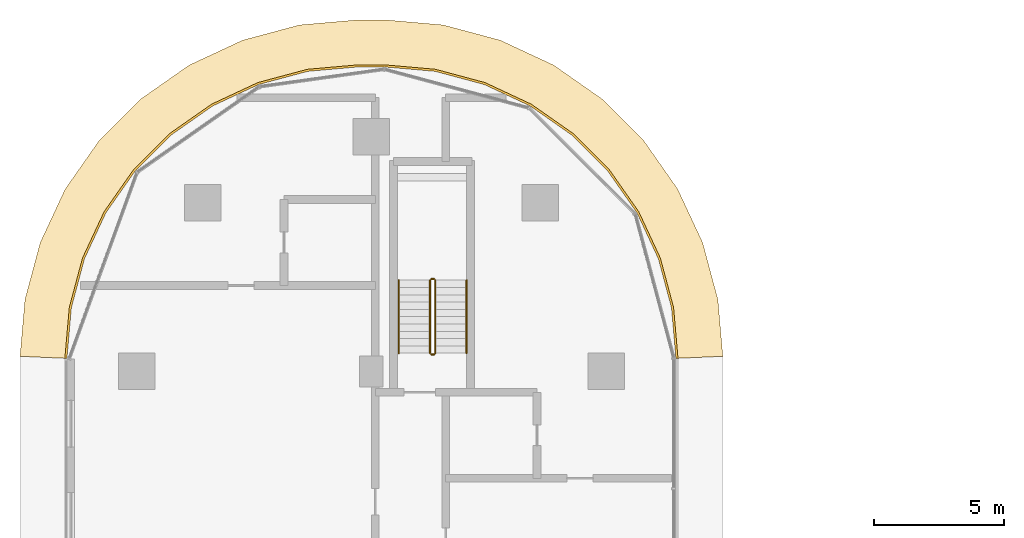
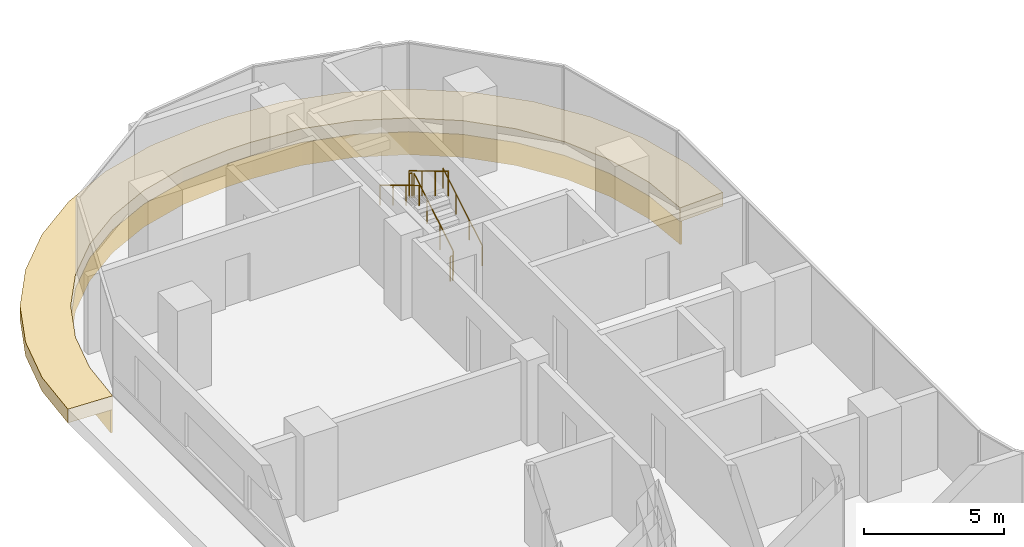
# One storey, part 33 of 36: 6 railings, 2 coverings.
"""IFC4 building model written with IfcOpenShell, lengths in metres."""

from ifc_helpers import new_model, si_unit, direction, frame, origin, origin_2d, place, context, subcontext, project, spatial, polyline, circle, outline, extrude, material, layer, layer_set, type_object, element, save


model = new_model("IFC4")

# Units and contexts
model_context = context("Model", 3, precision=1e-05, world=origin(), true_north=direction((0.0, 1.0)))
body_context = subcontext(model_context, "Body", "Model", "MODEL_VIEW")
ifc_project = project(units=[si_unit("LENGTHUNIT", "METRE"), si_unit("AREAUNIT", "SQUARE_METRE"), si_unit("VOLUMEUNIT", "CUBIC_METRE"), si_unit("PLANEANGLEUNIT", "RADIAN"), si_unit("MASSUNIT", "GRAM", prefix="KILO")], contexts=[model_context])

# Site, building, storey
site_placement = place(None, origin())
site = spatial("IfcSite", under=ifc_project, at=site_placement, CompositionType="ELEMENT")
building_placement = place(site_placement, origin())
building = spatial("IfcBuilding", under=site, at=building_placement, Name="Ogive Portal Towers", CompositionType="ELEMENT")
storey_placement = place(building_placement, frame((0.0, 0.0, 63.10009765625)))
storey = spatial("IfcBuildingStorey", under=building, at=storey_placement, Name="L14", CompositionType="ELEMENT", Elevation=63.10009765625)

# Railings
ifc_material_1 = material(Name="Stainless steel balustrade", Category="steel")
railing_type_1 = type_object("IfcRailingType", Name="INT-GUARD", PredefinedType="GUARDRAIL", material=ifc_material_1)
railing_1_placement = place(storey_placement, frame((42.949951171875, 67.199951171875, 0.16796875)))
element("IfcRailing", 1, at=railing_1_placement, inside=storey, type_object=railing_type_1, Name="L14 ST-A3 stair guard 1", PredefinedType="GUARDRAIL", context=body_context, shape_type="SweptSolid", body=[
    extrude(circle(Radius=0.02392578125, at=origin_2d()), frame((0.0, 0.0, 1.076171875), z_axis=(0.0, 0.857242210791, 0.514913383045), x_axis=(-1.0, 0.0, 0.0)), (0.0, 0.0, 1.0), 3.266357421875),
    extrude(circle(Radius=0.02099609375, at=origin_2d()), origin(), (0.0, 0.0, 1.0), 1.052001953125),
    extrude(circle(Radius=0.02099609375, at=origin_2d()), frame((0.0, 0.933349609375, 0.560546875)), (0.0, 0.0, 1.0), 1.052001953125),
    extrude(circle(Radius=0.02099609375, at=origin_2d()), frame((0.0, 1.86669921875, 1.121337890625)), (0.0, 0.0, 1.0), 1.052001953125),
    extrude(circle(Radius=0.02099609375, at=origin_2d()), frame((0.0, 2.800048828125, 1.681884765625)), (0.0, 0.0, 1.0), 1.052001953125),
])
railing_2_placement = place(storey_placement, frame((42.89990234375, 70.050048828125, 1.849853515625)))
element("IfcRailing", 2, at=railing_2_placement, inside=storey, type_object=railing_type_1, Name="L14 ST-A3 stair guard 2", PredefinedType="GUARDRAIL", context=body_context, shape_type="SweptSolid", body=[
    extrude(circle(Radius=0.02392578125, at=origin_2d()), frame((0.0, 0.0, 1.076171875), z_axis=(-1.0, 0.0, 0.0), x_axis=(0.0, -1.0, 0.0)), (0.0, 0.0, 1.0), 0.099853515625),
    extrude(circle(Radius=0.02099609375, at=origin_2d()), origin(), (0.0, 0.0, 1.0), 1.052001953125),
    extrude(circle(Radius=0.02099609375, at=origin_2d()), frame((-0.099853515625, 0.0, 0.0)), (0.0, 0.0, 1.0), 1.052001953125),
])
railing_3_placement = place(storey_placement, frame((42.75, 70.0, 2.01806640625)))
element("IfcRailing", 3, at=railing_3_placement, inside=storey, type_object=railing_type_1, Name="L14 ST-A3 stair guard 3", PredefinedType="GUARDRAIL", context=body_context, shape_type="SweptSolid", body=[
    extrude(circle(Radius=0.02392578125, at=origin_2d()), frame((0.0, 0.0, 1.076171875), z_axis=(0.0, -0.857242210791, 0.514913383045), x_axis=(1.0, 0.0, 0.0)), (0.0, 0.0, 1.0), 3.266357421875),
    extrude(circle(Radius=0.02099609375, at=origin_2d()), origin(), (0.0, 0.0, 1.0), 1.052001953125),
    extrude(circle(Radius=0.02099609375, at=origin_2d()), frame((0.0, -0.933349609375, 0.560546875)), (0.0, 0.0, 1.0), 1.052001953125),
    extrude(circle(Radius=0.02099609375, at=origin_2d()), frame((0.0, -1.86669921875, 1.121337890625)), (0.0, 0.0, 1.0), 1.052001953125),
    extrude(circle(Radius=0.02099609375, at=origin_2d()), frame((0.0, -2.800048828125, 1.681884765625)), (0.0, 0.0, 1.0), 1.052001953125),
])
railing_4_placement = place(storey_placement, frame((42.89990234375, 67.14990234375, 0.0)))
element("IfcRailing", 4, at=railing_4_placement, inside=storey, type_object=railing_type_1, Name="L14 ST-A3 stair guard 4", PredefinedType="GUARDRAIL", context=body_context, shape_type="SweptSolid", body=[
    extrude(circle(Radius=0.02392578125, at=origin_2d()), frame((0.0, 0.0, 1.076171875), z_axis=(-1.0, 0.0, 0.0), x_axis=(0.0, -1.0, 0.0)), (0.0, 0.0, 1.0), 0.099853515625),
    extrude(circle(Radius=0.02099609375, at=origin_2d()), origin(), (0.0, 0.0, 1.0), 1.052001953125),
    extrude(circle(Radius=0.02099609375, at=origin_2d()), frame((-0.099853515625, 0.0, 0.0)), (0.0, 0.0, 1.0), 1.052001953125),
])
ifc_material_2 = material(Name="Stainless steel handrail", Category="steel")
railing_type_2 = type_object("IfcRailingType", Name="INT-HANDRAIL", PredefinedType="HANDRAIL", material=ifc_material_2)
railing_5_placement = place(storey_placement, frame((44.14990234375, 67.199951171875, 0.16796875)))
element("IfcRailing", 5, at=railing_5_placement, inside=storey, type_object=railing_type_2, Name="L14 ST-A3 stair handrail 1", PredefinedType="HANDRAIL", context=body_context, shape_type="SweptSolid", body=[
    extrude(circle(Radius=0.02392578125, at=origin_2d()), frame((0.0, 0.0, 0.8759765625), z_axis=(0.0, 0.857242210791, 0.514913383045), x_axis=(-1.0, 0.0, 0.0)), (0.0, 0.0, 1.0), 3.266357421875),
    extrude(circle(Radius=0.02099609375, at=origin_2d()), origin(), (0.0, 0.0, 1.0), 0.851806640625),
    extrude(circle(Radius=0.02099609375, at=origin_2d()), frame((0.0, 0.933349609375, 0.560546875)), (0.0, 0.0, 1.0), 0.851806640625),
    extrude(circle(Radius=0.02099609375, at=origin_2d()), frame((0.0, 1.86669921875, 1.121337890625)), (0.0, 0.0, 1.0), 0.851806640625),
    extrude(circle(Radius=0.02099609375, at=origin_2d()), frame((0.0, 2.800048828125, 1.681884765625)), (0.0, 0.0, 1.0), 0.851806640625),
])
railing_6_placement = place(storey_placement, frame((41.550048828125, 70.0, 2.01806640625)))
element("IfcRailing", 6, at=railing_6_placement, inside=storey, type_object=railing_type_2, Name="L14 ST-A3 stair handrail 2", PredefinedType="HANDRAIL", context=body_context, shape_type="SweptSolid", body=[
    extrude(circle(Radius=0.02392578125, at=origin_2d()), frame((0.0, 0.0, 0.8759765625), z_axis=(0.0, -0.857242210791, 0.514913383045), x_axis=(1.0, 0.0, 0.0)), (0.0, 0.0, 1.0), 3.266357421875),
    extrude(circle(Radius=0.02099609375, at=origin_2d()), origin(), (0.0, 0.0, 1.0), 0.851806640625),
    extrude(circle(Radius=0.02099609375, at=origin_2d()), frame((0.0, -0.933349609375, 0.560546875)), (0.0, 0.0, 1.0), 0.851806640625),
    extrude(circle(Radius=0.02099609375, at=origin_2d()), frame((0.0, -1.86669921875, 1.121337890625)), (0.0, 0.0, 1.0), 0.851806640625),
    extrude(circle(Radius=0.02099609375, at=origin_2d()), frame((0.0, -2.800048828125, 1.681884765625)), (0.0, 0.0, 1.0), 0.851806640625),
])

# Coverings
ifc_material_3 = material(Name="Limestone cladding on lightweight block wall", Category="masonry")
ifc_layer_1 = layer(ifc_material_3, 0.080078125)
ifc_layer_set_1 = layer_set([ifc_layer_1], Name="STONE SPANDREL 80")
covering_type_1 = type_object("IfcCoveringType", Name="STONE SPANDREL 80", PredefinedType="CLADDING", material=ifc_layer_set_1)
covering_1_placement = place(storey_placement, frame((0.0, 0.0, -1.60009765625)))
element("IfcCovering", 7, at=covering_1_placement, inside=storey, type_object=covering_type_1, Name="Stone spandrel A1-F12", PredefinedType="CLADDING", context=body_context, shape_type="SweptSolid", body=[
    extrude(outline(polyline([(52.179931640625, 67.0), (52.01025390625, 68.94140625), (51.505859375, 70.82373046875), (50.68212890625, 72.590087890625), (49.564453125, 74.186279296875), (48.186279296875, 75.564453125), (46.590087890625, 76.68212890625), (44.82373046875, 77.505859375), (42.94140625, 78.01025390625), (41.0, 78.179931640625), (40.0, 78.179931640625), (38.05859375, 78.01025390625), (36.17626953125, 77.505859375), (34.409912109375, 76.68212890625), (32.813720703125, 75.564453125), (31.435546875, 74.186279296875), (30.31787109375, 72.590087890625), (29.494140625, 70.82373046875), (28.98974609375, 68.94140625), (28.820068359375, 67.0), (28.739990234375, 67.00341796875), (28.91064453125, 68.955322265625), (29.418701171875, 70.851318359375), (30.248291015625, 72.630126953125), (31.3740234375, 74.238037109375), (32.761962890625, 75.6259765625), (34.369873046875, 76.751708984375), (36.148681640625, 77.581298828125), (38.044677734375, 78.08935546875), (39.99658203125, 78.260009765625), (41.00341796875, 78.260009765625), (42.955322265625, 78.08935546875), (44.851318359375, 77.581298828125), (46.630126953125, 76.751708984375), (48.238037109375, 75.6259765625), (49.6259765625, 74.238037109375), (50.751708984375, 72.630126953125), (51.581298828125, 70.851318359375), (52.08935546875, 68.955322265625), (52.260009765625, 67.00341796875), (52.179931640625, 67.0)])), origin(), (0.0, 0.0, 1.0), 1.0),
])
ifc_layer_2 = layer(ifc_material_3, 0.60009765625)
ifc_layer_set_2 = layer_set([ifc_layer_2], Name="SUNSHADE LIP 600")
covering_type_2 = type_object("IfcCoveringType", Name="SUNSHADE LIP 600", PredefinedType="CLADDING", material=ifc_layer_set_2)
covering_2_placement = place(storey_placement, frame((0.0, 0.0, -0.60009765625)))
element("IfcCovering", 8, at=covering_2_placement, inside=storey, type_object=covering_type_2, Name="Sunshade lip A1-F12", PredefinedType="CLADDING", context=body_context, shape_type="SweptSolid", body=[
    extrude(outline(polyline([(52.179931640625, 67.0), (52.01025390625, 68.94140625), (51.505859375, 70.82373046875), (50.68212890625, 72.590087890625), (49.564453125, 74.186279296875), (48.186279296875, 75.564453125), (46.590087890625, 76.68212890625), (44.82373046875, 77.505859375), (42.94140625, 78.01025390625), (41.0, 78.179931640625), (40.0, 78.179931640625), (38.05859375, 78.01025390625), (36.17626953125, 77.505859375), (34.409912109375, 76.68212890625), (32.813720703125, 75.564453125), (31.435546875, 74.186279296875), (30.31787109375, 72.590087890625), (29.494140625, 70.82373046875), (28.98974609375, 68.94140625), (28.820068359375, 67.0), (27.02001953125, 67.07861328125), (27.21044921875, 69.255126953125), (27.79638671875, 71.44189453125), (28.7529296875, 73.493408203125), (30.051513671875, 75.347900390625), (31.652099609375, 76.948486328125), (33.506591796875, 78.2470703125), (35.55810546875, 79.20361328125), (37.744873046875, 79.78955078125), (39.92138671875, 79.97998046875), (41.07861328125, 79.97998046875), (43.255126953125, 79.78955078125), (45.44189453125, 79.20361328125), (47.493408203125, 78.2470703125), (49.347900390625, 76.948486328125), (50.948486328125, 75.347900390625), (52.2470703125, 73.493408203125), (53.20361328125, 71.44189453125), (53.78955078125, 69.255126953125), (53.97998046875, 67.07861328125), (52.179931640625, 67.0)])), origin(), (0.0, 0.0, 1.0), 0.60009765625),
])

save(model, "model.ifc")
